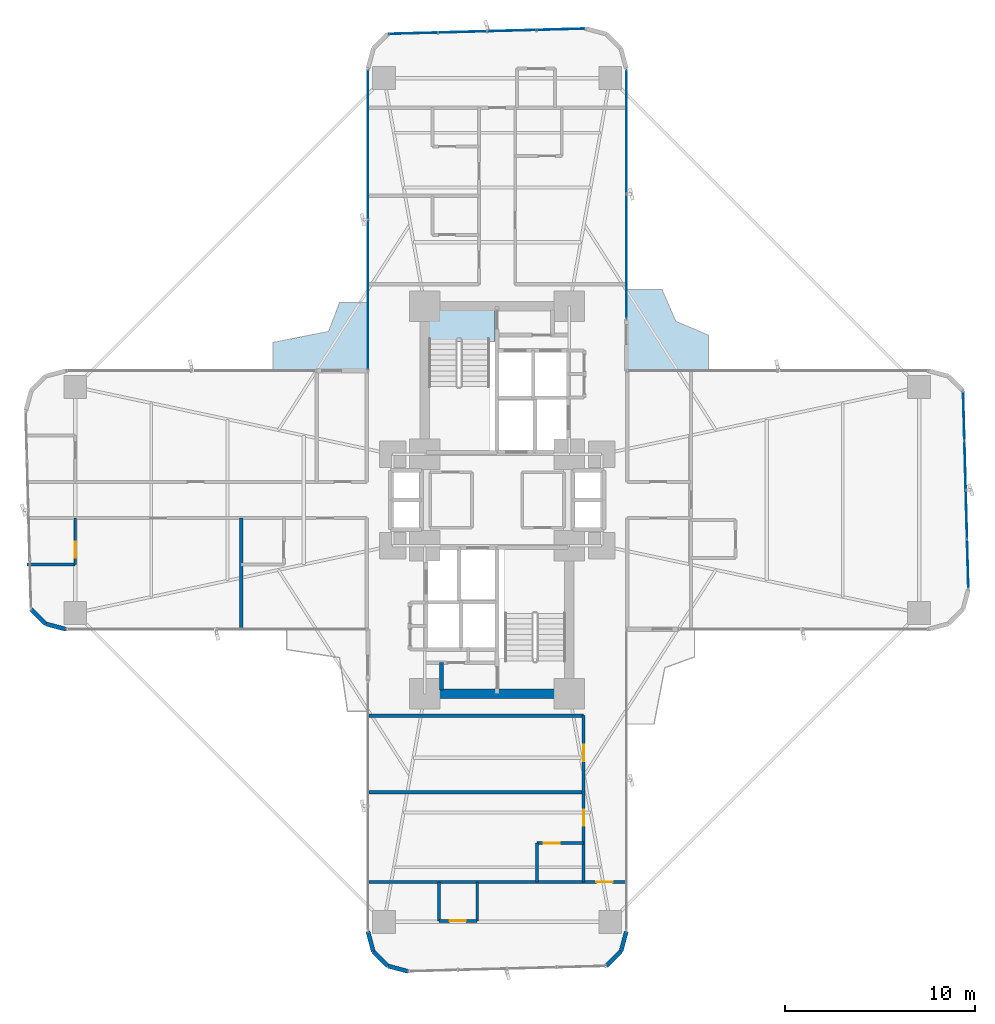
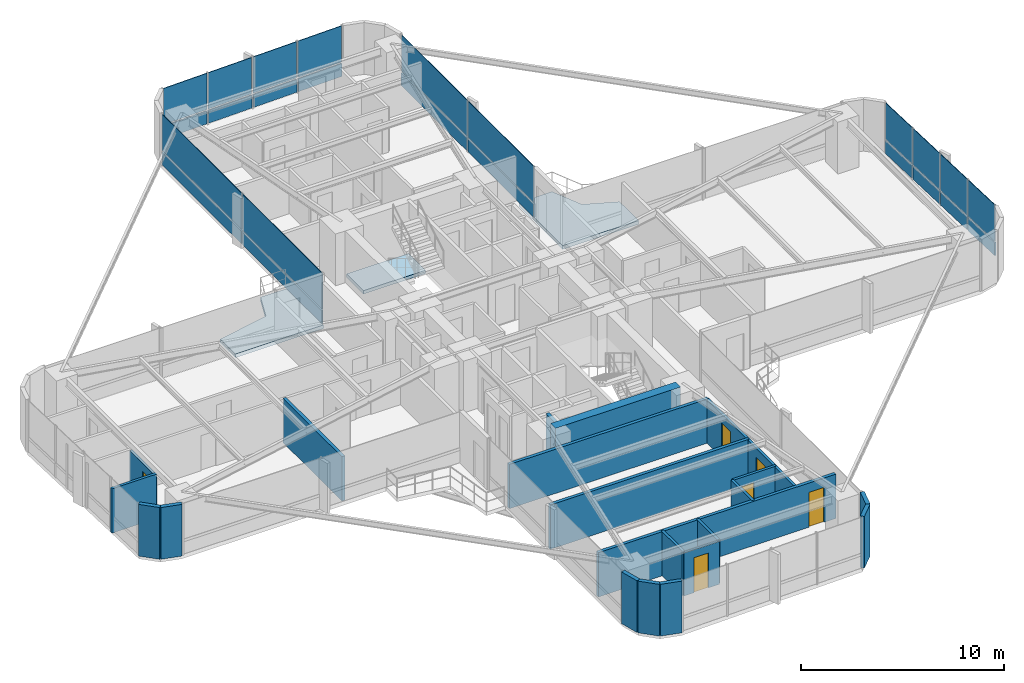
# One storey, part 21 of 26: 24 plates, 21 walls, 6 doors, 3 slabs, 6 openings, 4 elements without a shape of their own.
"""IFC4 building model written with IfcOpenShell, lengths in metres."""

from ifc_helpers import new_model, si_unit, direction, frame, frame_2d, origin, origin_2d, place, context, subcontext, project, spatial, polyline, rectangle, outline, extrude, source, transform, mapped, material, layer, layer_set, type_object, element, fill, aggregate, save


model = new_model("IFC4")

# Units and contexts
model_context = context("Model", 3, precision=1e-05, world=origin(), true_north=direction((0.0, 1.0)))
body_context = subcontext(model_context, "Body", "Model", "MODEL_VIEW")
ifc_project = project(units=[si_unit("LENGTHUNIT", "METRE"), si_unit("AREAUNIT", "SQUARE_METRE"), si_unit("VOLUMEUNIT", "CUBIC_METRE"), si_unit("PLANEANGLEUNIT", "RADIAN"), si_unit("MASSUNIT", "GRAM", prefix="KILO")], contexts=[model_context])

# Site, building, storey
site_placement = place(None, origin())
site = spatial("IfcSite", under=ifc_project, at=site_placement, CompositionType="ELEMENT")
building_placement = place(site_placement, origin())
building = spatial("IfcBuilding", under=site, at=building_placement, Name="Sahyath Konkavel Grand Hotel", CompositionType="ELEMENT")
storey_placement = place(building_placement, frame((0.0, 0.0, 29.800048828125)))
storey = spatial("IfcBuildingStorey", under=building, at=storey_placement, Name="L07", CompositionType="ELEMENT", Elevation=29.800048828125)

# Slabs
ifc_material_1 = material(Name="Concrete C40/50", Category="concrete")
ifc_layer_1 = layer(ifc_material_1, 0.219970703125)
ifc_layer_set_1 = layer_set([ifc_layer_1], Name="Concrete C40/50")
slab_type_1 = type_object("IfcSlabType", Name="SLB-BALCONY-220", PredefinedType="FLOOR", material=ifc_layer_set_1)
slab_1_placement = place(storey_placement, frame((0.0, 0.0, -0.219970703125)))
element("IfcSlab", 1, at=slab_1_placement, inside=storey, type_object=slab_type_1, Name="L07 Winter-Garden Balcony NE", PredefinedType="FLOOR", context=body_context, shape_type="SweptSolid", body=[
    extrude(outline(polyline([(6.800048828125, 6.800048828125), (11.1220703125, 6.800048828125), (11.1220703125, 8.672119140625), (9.39990234375, 9.39990234375), (8.672119140625, 11.077880859375), (6.800048828125, 11.077880859375), (6.800048828125, 6.800048828125)])), origin(), (0.0, 0.0, 1.0), 0.219970703125),
])
slab_2_placement = place(storey_placement, frame((0.0, 0.0, -0.219970703125)))
element("IfcSlab", 2, at=slab_2_placement, inside=storey, type_object=slab_type_1, Name="L07 Winter-Garden Balcony NW", PredefinedType="FLOOR", context=body_context, shape_type="SweptSolid", body=[
    extrude(outline(polyline([(-6.800048828125, 6.800048828125), (-6.800048828125, 10.39990234375), (-8.2880859375, 10.39990234375), (-8.866943359375, 8.866943359375), (-11.800048828125, 8.2880859375), (-11.800048828125, 6.800048828125), (-6.800048828125, 6.800048828125)])), origin(), (0.0, 0.0, 1.0), 0.219970703125),
])
ifc_layer_2 = layer(ifc_material_1, 0.199951171875)
ifc_layer_set_2 = layer_set([ifc_layer_2], Name="Concrete C40/50")
slab_type_2 = type_object("IfcSlabType", Name="SLB-STAIR-LND", PredefinedType="LANDING", material=ifc_layer_set_2)
slab_3_placement = place(storey_placement, frame((0.0, 0.0, -0.199951171875)))
element("IfcSlab", 3, at=slab_3_placement, inside=storey, type_object=slab_type_2, Name="L07 Stair ST-1 Floor Landing Slab", PredefinedType="LANDING", context=body_context, shape_type="SweptSolid", body=[
    extrude(outline(polyline([(-3.6201171875, 8.35009765625), (-0.10009765625, 8.35009765625), (-0.10009765625, 10.02001953125), (-3.6201171875, 10.02001953125), (-3.6201171875, 8.35009765625)])), origin(), (0.0, 0.0, 1.0), 0.199951171875),
])

# Curtain wall, plates
ifc_material_2 = material(Name="Anodised Bronze Aluminium & Low-E Glazing", Category="aluminium")
curtain_wall_type = type_object("IfcCurtainWallType", Name="CW-ZONE1", PredefinedType="NOTDEFINED", material=ifc_material_2)
curtain_wall_1_placement = place(storey_placement, origin())
curtain_wall_1 = element("IfcCurtainWall", 4, at=curtain_wall_1_placement, inside=storey, type_object=curtain_wall_type, Name="L07 Unitised Curtain Wall F15", PredefinedType="NOTDEFINED")
ifc_material_3 = material(Name="Warm Buff Sandstone Cladding", Category="masonry")
ifc_layer_3 = layer(ifc_material_3, 0.074951171875)
ifc_layer_set_3 = layer_set([ifc_layer_3], Name="Warm Buff Sandstone Cladding")
plate_type_1 = type_object("IfcPlateType", Name="PNL-SPANDREL-STONE", PredefinedType="SHEET", material=ifc_layer_set_3)
shared_shape_1 = source(origin(), body_context, "Body", "SweptSolid", [
    extrude(rectangle(XDim=7.830078125, YDim=0.074951171875, at=origin_2d()), origin(), (0.0, 0.0, 1.0), 0.77001953125),
])
plate_1_placement = place(storey_placement, frame((-6.800048828125, 18.705078125, 0.0400390625), z_axis=(0.0, 0.0, 1.0), x_axis=(0.0, -1.0, 0.0)))
plate_1 = element("IfcPlate", 5, at=plate_1_placement, type_object=plate_type_1, Name="L07 Sandstone Relief Spandrel Panel F15-0", PredefinedType="SHEET", context=body_context, shape_type="MappedRepresentation", body=[
    mapped(shared_shape_1, transform((0.0, 0.0, 0.0), scale=1.0)),
])
plate_2_placement = place(storey_placement, frame((-6.800048828125, 10.794921875, 0.0400390625), z_axis=(0.0, 0.0, 1.0), x_axis=(0.0, -1.0, 0.0)))
plate_2 = element("IfcPlate", 6, at=plate_2_placement, type_object=plate_type_1, Name="L07 Sandstone Relief Spandrel Panel F15-1", PredefinedType="SHEET", context=body_context, shape_type="MappedRepresentation", body=[
    mapped(shared_shape_1, transform((0.0, 0.0, 0.0), scale=1.0)),
])
ifc_material_4 = material(Name="Low-E Solar Control Double Glazing", Category="glass")
ifc_layer_4 = layer(ifc_material_4, 0.035888671875)
ifc_layer_set_4 = layer_set([ifc_layer_4], Name="Low-E Solar Control Double Glazing")
plate_type_2 = type_object("IfcPlateType", Name="PNL-VISION-LOWE", PredefinedType="CURTAIN_PANEL", material=ifc_layer_set_4)
shared_shape_2 = source(origin(), body_context, "Body", "SweptSolid", [
    extrude(rectangle(XDim=7.830078125, YDim=0.035888671875, at=origin_2d()), origin(), (0.0, 0.0, 1.0), 2.179931640625),
])
plate_3_placement = place(storey_placement, frame((-6.800048828125, 18.705078125, 0.89013671875), z_axis=(0.0, 0.0, 1.0), x_axis=(0.0, -1.0, 0.0)))
plate_3 = element("IfcPlate", 7, at=plate_3_placement, type_object=plate_type_2, Name="L07 Low-E Vision Glazing Panel F15-0", PredefinedType="CURTAIN_PANEL", context=body_context, shape_type="MappedRepresentation", body=[
    mapped(shared_shape_2, transform((0.0, 0.0, 0.0), scale=1.0)),
])
plate_4_placement = place(storey_placement, frame((-6.800048828125, 10.794921875, 0.89013671875), z_axis=(0.0, 0.0, 1.0), x_axis=(0.0, -1.0, 0.0)))
plate_4 = element("IfcPlate", 8, at=plate_4_placement, type_object=plate_type_2, Name="L07 Low-E Vision Glazing Panel F15-1", PredefinedType="CURTAIN_PANEL", context=body_context, shape_type="MappedRepresentation", body=[
    mapped(shared_shape_2, transform((0.0, 0.0, 0.0), scale=1.0)),
])
aggregate(curtain_wall_1, [plate_1, plate_3, plate_2, plate_4])

curtain_wall_2_placement = place(storey_placement, origin())
curtain_wall_2 = element("IfcCurtainWall", 9, at=curtain_wall_2_placement, inside=storey, type_object=curtain_wall_type, Name="L07 Unitised Curtain Wall F4", PredefinedType="NOTDEFINED")
shared_shape_3 = source(origin(), body_context, "Body", "SweptSolid", [
    extrude(rectangle(XDim=2.513427734375, YDim=0.074951171875, at=origin_2d()), origin(), (0.0, 0.0, 1.0), 0.77001953125),
])
plate_5_placement = place(storey_placement, frame((24.763916015625, -3.36376953125, 0.0400390625), z_axis=(0.0, 0.0, 1.0), x_axis=(-0.026909728301, 0.999637867691, 0.0)))
plate_5 = element("IfcPlate", 10, at=plate_5_placement, type_object=plate_type_1, Name="L07 Sandstone Relief Spandrel Panel F4-0", PredefinedType="SHEET", context=body_context, shape_type="MappedRepresentation", body=[
    mapped(shared_shape_3, transform((0.0, 0.0, 0.0), scale=1.0)),
])
plate_6_placement = place(storey_placement, frame((24.694091796875, -0.771240234375, 0.0400390625), z_axis=(0.0, 0.0, 1.0), x_axis=(-0.026909728301, 0.999637867691, 0.0)))
plate_6 = element("IfcPlate", 11, at=plate_6_placement, type_object=plate_type_1, Name="L07 Sandstone Relief Spandrel Panel F4-1", PredefinedType="SHEET", context=body_context, shape_type="MappedRepresentation", body=[
    mapped(shared_shape_3, transform((0.0, 0.0, 0.0), scale=1.0)),
])
plate_7_placement = place(storey_placement, frame((24.62451171875, 1.8212890625, 0.0400390625), z_axis=(0.0, 0.0, 1.0), x_axis=(-0.026909728301, 0.999637867691, 0.0)))
plate_7 = element("IfcPlate", 12, at=plate_7_placement, type_object=plate_type_1, Name="L07 Sandstone Relief Spandrel Panel F4-2", PredefinedType="SHEET", context=body_context, shape_type="MappedRepresentation", body=[
    mapped(shared_shape_3, transform((0.0, 0.0, 0.0), scale=1.0)),
])
plate_8_placement = place(storey_placement, frame((24.5546875, 4.413818359375, 0.0400390625), z_axis=(0.0, 0.0, 1.0), x_axis=(-0.026909728301, 0.999637867691, 0.0)))
plate_8 = element("IfcPlate", 13, at=plate_8_placement, type_object=plate_type_1, Name="L07 Sandstone Relief Spandrel Panel F4-3", PredefinedType="SHEET", context=body_context, shape_type="MappedRepresentation", body=[
    mapped(shared_shape_3, transform((0.0, 0.0, 0.0), scale=1.0)),
])

curtain_wall_3_placement = place(storey_placement, origin())
curtain_wall_3 = element("IfcCurtainWall", 14, at=curtain_wall_3_placement, inside=storey, type_object=curtain_wall_type, Name="L07 Unitised Curtain Wall F12", PredefinedType="NOTDEFINED")
plate_9_placement = place(storey_placement, frame((3.36376953125, 24.763916015625, 0.0400390625), z_axis=(0.0, 0.0, 1.0), x_axis=(-0.999637867691, -0.026909728301, 0.0)))
plate_9 = element("IfcPlate", 15, at=plate_9_placement, type_object=plate_type_1, Name="L07 Sandstone Relief Spandrel Panel F12-0", PredefinedType="SHEET", context=body_context, shape_type="MappedRepresentation", body=[
    mapped(shared_shape_3, transform((0.0, 0.0, 0.0), scale=1.0)),
])
plate_10_placement = place(storey_placement, frame((0.771240234375, 24.694091796875, 0.0400390625), z_axis=(0.0, 0.0, 1.0), x_axis=(-0.999637867691, -0.026909728301, 0.0)))
plate_10 = element("IfcPlate", 16, at=plate_10_placement, type_object=plate_type_1, Name="L07 Sandstone Relief Spandrel Panel F12-1", PredefinedType="SHEET", context=body_context, shape_type="MappedRepresentation", body=[
    mapped(shared_shape_3, transform((0.0, 0.0, 0.0), scale=1.0)),
])
plate_11_placement = place(storey_placement, frame((-1.8212890625, 24.62451171875, 0.0400390625), z_axis=(0.0, 0.0, 1.0), x_axis=(-0.999637867691, -0.026909728301, 0.0)))
plate_11 = element("IfcPlate", 17, at=plate_11_placement, type_object=plate_type_1, Name="L07 Sandstone Relief Spandrel Panel F12-2", PredefinedType="SHEET", context=body_context, shape_type="MappedRepresentation", body=[
    mapped(shared_shape_3, transform((0.0, 0.0, 0.0), scale=1.0)),
])
plate_12_placement = place(storey_placement, frame((-4.413818359375, 24.5546875, 0.0400390625), z_axis=(0.0, 0.0, 1.0), x_axis=(-0.999637867691, -0.026909728301, 0.0)))
plate_12 = element("IfcPlate", 18, at=plate_12_placement, type_object=plate_type_1, Name="L07 Sandstone Relief Spandrel Panel F12-3", PredefinedType="SHEET", context=body_context, shape_type="MappedRepresentation", body=[
    mapped(shared_shape_3, transform((0.0, 0.0, 0.0), scale=1.0)),
])

# Plate
shared_shape_4 = source(origin(), body_context, "Body", "SweptSolid", [
    extrude(rectangle(XDim=2.513427734375, YDim=0.035888671875, at=origin_2d()), origin(), (0.0, 0.0, 1.0), 2.179931640625),
])
plate_13_placement = place(storey_placement, frame((24.763916015625, -3.36376953125, 0.89013671875), z_axis=(0.0, 0.0, 1.0), x_axis=(-0.026909728301, 0.999637867691, 0.0)))
plate_13 = element("IfcPlate", 19, at=plate_13_placement, type_object=plate_type_2, Name="L07 Low-E Vision Glazing Panel F4-0", PredefinedType="CURTAIN_PANEL", context=body_context, shape_type="MappedRepresentation", body=[
    mapped(shared_shape_4, transform((0.0, 0.0, 0.0), scale=1.0)),
])

plate_14_placement = place(storey_placement, frame((24.694091796875, -0.771240234375, 0.89013671875), z_axis=(0.0, 0.0, 1.0), x_axis=(-0.026909728301, 0.999637867691, 0.0)))
plate_14 = element("IfcPlate", 20, at=plate_14_placement, type_object=plate_type_2, Name="L07 Low-E Vision Glazing Panel F4-1", PredefinedType="CURTAIN_PANEL", context=body_context, shape_type="MappedRepresentation", body=[
    mapped(shared_shape_4, transform((0.0, 0.0, 0.0), scale=1.0)),
])

plate_15_placement = place(storey_placement, frame((24.62451171875, 1.8212890625, 0.89013671875), z_axis=(0.0, 0.0, 1.0), x_axis=(-0.026909728301, 0.999637867691, 0.0)))
plate_15 = element("IfcPlate", 21, at=plate_15_placement, type_object=plate_type_2, Name="L07 Low-E Vision Glazing Panel F4-2", PredefinedType="CURTAIN_PANEL", context=body_context, shape_type="MappedRepresentation", body=[
    mapped(shared_shape_4, transform((0.0, 0.0, 0.0), scale=1.0)),
])

plate_16_placement = place(storey_placement, frame((24.5546875, 4.413818359375, 0.89013671875), z_axis=(0.0, 0.0, 1.0), x_axis=(-0.026909728301, 0.999637867691, 0.0)))
plate_16 = element("IfcPlate", 22, at=plate_16_placement, type_object=plate_type_2, Name="L07 Low-E Vision Glazing Panel F4-3", PredefinedType="CURTAIN_PANEL", context=body_context, shape_type="MappedRepresentation", body=[
    mapped(shared_shape_4, transform((0.0, 0.0, 0.0), scale=1.0)),
])

aggregate(curtain_wall_2, [plate_5, plate_13, plate_6, plate_14, plate_7, plate_15, plate_8, plate_16])

plate_17_placement = place(storey_placement, frame((3.36376953125, 24.763916015625, 0.89013671875), z_axis=(0.0, 0.0, 1.0), x_axis=(-0.999637867691, -0.026909728301, 0.0)))
plate_17 = element("IfcPlate", 23, at=plate_17_placement, type_object=plate_type_2, Name="L07 Low-E Vision Glazing Panel F12-0", PredefinedType="CURTAIN_PANEL", context=body_context, shape_type="MappedRepresentation", body=[
    mapped(shared_shape_4, transform((0.0, 0.0, 0.0), scale=1.0)),
])

plate_18_placement = place(storey_placement, frame((0.771240234375, 24.694091796875, 0.89013671875), z_axis=(0.0, 0.0, 1.0), x_axis=(-0.999637867691, -0.026909728301, 0.0)))
plate_18 = element("IfcPlate", 24, at=plate_18_placement, type_object=plate_type_2, Name="L07 Low-E Vision Glazing Panel F12-1", PredefinedType="CURTAIN_PANEL", context=body_context, shape_type="MappedRepresentation", body=[
    mapped(shared_shape_4, transform((0.0, 0.0, 0.0), scale=1.0)),
])

plate_19_placement = place(storey_placement, frame((-1.8212890625, 24.62451171875, 0.89013671875), z_axis=(0.0, 0.0, 1.0), x_axis=(-0.999637867691, -0.026909728301, 0.0)))
plate_19 = element("IfcPlate", 25, at=plate_19_placement, type_object=plate_type_2, Name="L07 Low-E Vision Glazing Panel F12-2", PredefinedType="CURTAIN_PANEL", context=body_context, shape_type="MappedRepresentation", body=[
    mapped(shared_shape_4, transform((0.0, 0.0, 0.0), scale=1.0)),
])

plate_20_placement = place(storey_placement, frame((-4.413818359375, 24.5546875, 0.89013671875), z_axis=(0.0, 0.0, 1.0), x_axis=(-0.999637867691, -0.026909728301, 0.0)))
plate_20 = element("IfcPlate", 26, at=plate_20_placement, type_object=plate_type_2, Name="L07 Low-E Vision Glazing Panel F12-3", PredefinedType="CURTAIN_PANEL", context=body_context, shape_type="MappedRepresentation", body=[
    mapped(shared_shape_4, transform((0.0, 0.0, 0.0), scale=1.0)),
])

aggregate(curtain_wall_3, [plate_9, plate_17, plate_10, plate_18, plate_11, plate_19, plate_12, plate_20])

# Curtain wall, plates
curtain_wall_4_placement = place(storey_placement, origin())
curtain_wall_4 = element("IfcCurtainWall", 27, at=curtain_wall_4_placement, inside=storey, type_object=curtain_wall_type, Name="L07 Unitised Curtain Wall F8", PredefinedType="NOTDEFINED")
shared_shape_5 = source(origin(), body_context, "Body", "SweptSolid", [
    extrude(rectangle(XDim=6.47998046875, YDim=0.074951171875, at=origin_2d()), origin(), (0.0, 0.0, 1.0), 0.77001953125),
])
plate_21_placement = place(storey_placement, frame((6.800048828125, 12.820068359375, 0.0400390625), z_axis=(0.0, 0.0, 1.0), x_axis=(0.0, 1.0, 0.0)))
plate_21 = element("IfcPlate", 28, at=plate_21_placement, type_object=plate_type_1, Name="L07 Sandstone Relief Spandrel Panel F8-0", PredefinedType="SHEET", context=body_context, shape_type="MappedRepresentation", body=[
    mapped(shared_shape_5, transform((0.0, 0.0, 0.0), scale=1.0)),
])
plate_22_placement = place(storey_placement, frame((6.800048828125, 19.3798828125, 0.0400390625), z_axis=(0.0, 0.0, 1.0), x_axis=(0.0, 1.0, 0.0)))
plate_22 = element("IfcPlate", 29, at=plate_22_placement, type_object=plate_type_1, Name="L07 Sandstone Relief Spandrel Panel F8-1", PredefinedType="SHEET", context=body_context, shape_type="MappedRepresentation", body=[
    mapped(shared_shape_5, transform((0.0, 0.0, 0.0), scale=1.0)),
])
shared_shape_6 = source(origin(), body_context, "Body", "SweptSolid", [
    extrude(rectangle(XDim=6.47998046875, YDim=0.035888671875, at=origin_2d()), origin(), (0.0, 0.0, 1.0), 2.179931640625),
])
plate_23_placement = place(storey_placement, frame((6.800048828125, 12.820068359375, 0.89013671875), z_axis=(0.0, 0.0, 1.0), x_axis=(0.0, 1.0, 0.0)))
plate_23 = element("IfcPlate", 30, at=plate_23_placement, type_object=plate_type_2, Name="L07 Low-E Vision Glazing Panel F8-0", PredefinedType="CURTAIN_PANEL", context=body_context, shape_type="MappedRepresentation", body=[
    mapped(shared_shape_6, transform((0.0, 0.0, 0.0), scale=1.0)),
])
plate_24_placement = place(storey_placement, frame((6.800048828125, 19.3798828125, 0.89013671875), z_axis=(0.0, 0.0, 1.0), x_axis=(0.0, 1.0, 0.0)))
plate_24 = element("IfcPlate", 31, at=plate_24_placement, type_object=plate_type_2, Name="L07 Low-E Vision Glazing Panel F8-1", PredefinedType="CURTAIN_PANEL", context=body_context, shape_type="MappedRepresentation", body=[
    mapped(shared_shape_6, transform((0.0, 0.0, 0.0), scale=1.0)),
])
aggregate(curtain_wall_4, [plate_21, plate_23, plate_22, plate_24])

# Walls
ifc_material_5 = material(Name="Concrete C70/85", Category="concrete")
ifc_layer_5 = layer(ifc_material_5, 0.5)
ifc_layer_set_5 = layer_set([ifc_layer_5], Name="Concrete C70/85")
wall_type_1 = type_object("IfcWallType", Name="CWALL-500", PredefinedType="SHEAR", material=ifc_layer_set_5)
wall_1_placement = place(storey_placement, frame((-3.550048828125, -10.199951171875, 0.0), z_axis=(0.0, 0.0, 1.0), x_axis=(1.0, 0.0, 0.0)))
element("IfcWall", 32, at=wall_1_placement, inside=storey, type_object=wall_type_1, Name="L07 South Core Shear Wall S", PredefinedType="SHEAR", context=body_context, shape_type="SweptSolid", body=[
    extrude(rectangle(XDim=7.10009765625, YDim=0.5, at=frame_2d((3.550048828125, 0.0))), origin(), (0.0, 0.0, 1.0), 3.10986328125),
])
ifc_material_6 = material(Name="Warm Buff Sandstone Insulated Concrete C40/50", Category="masonry")
ifc_layer_6 = layer(ifc_material_6, 0.219970703125)
ifc_layer_set_6 = layer_set([ifc_layer_6], Name="Warm Buff Sandstone Insulated Concrete C40/50")
wall_type_2 = type_object("IfcWallType", Name="WLL-BALC-THRESH", PredefinedType="STANDARD", material=ifc_layer_set_6)
for number, where, z_axis, x_axis, name in (
    (33, (-24.518798828125, -5.75, 0.0), (0.0, 0.0, 1.0), (0.707106781187, -0.707106781187, 0.0), "L07 Rounded Corner Sandstone Pier 21"),
    (34, (-23.75, -6.518798828125, 0.0), (0.0, 0.0, 1.0), (0.965951058412, -0.25872485917, 0.0), "L07 Rounded Corner Sandstone Pier 22"),
    (35, (-6.800048828125, -22.699951171875, 0.0), (0.0, 0.0, 1.0), (0.25872485917, -0.965951058412, 0.0), "L07 Rounded Corner Sandstone Pier 25"),
    (36, (-6.518798828125, -23.75, 0.0), (0.0, 0.0, 1.0), (0.707106781187, -0.707106781187, 0.0), "L07 Rounded Corner Sandstone Pier 26"),
    (37, (-5.75, -24.518798828125, 0.0), (0.0, 0.0, 1.0), (0.965951058412, -0.25872485917, 0.0), "L07 Rounded Corner Sandstone Pier 27"),
    (38, (5.75, -24.518798828125, 0.0), (0.0, 0.0, 1.0), (0.707106781187, 0.707106781187, 0.0), "L07 Rounded Corner Sandstone Pier 29"),
    (39, (6.518798828125, -23.75, 0.0), (0.0, 0.0, 1.0), (0.25872485917, 0.965951058412, 0.0), "L07 Rounded Corner Sandstone Pier 30"),
):
    element("IfcWall", number, at=place(storey_placement, frame(where, z_axis=z_axis, x_axis=x_axis)), inside=storey, type_object=wall_type_2, Name=name, PredefinedType="STANDARD", context=body_context, shape_type="SweptSolid", body=[
        extrude(rectangle(XDim=1.087158203125, YDim=0.219970703125, at=frame_2d((0.54345703125, 0.0))), origin(), (0.0, 0.0, 1.0), 3.10986328125),
    ])
ifc_layer_7 = layer(ifc_material_1, 0.199951171875)
ifc_layer_set_7 = layer_set([ifc_layer_7], Name="Concrete C40/50")
wall_type_3 = type_object("IfcWallType", Name="WLL-CORE-200", PredefinedType="SOLIDWALL", material=ifc_layer_set_7)
wall_2_placement = place(storey_placement, frame((-2.919921875, -10.0, 0.0), z_axis=(0.0, 0.0, 1.0), x_axis=(0.0, 1.0, 0.0)))
element("IfcWall", 40, at=wall_2_placement, inside=storey, type_object=wall_type_3, Name="L07 Partition SFF-W2", PredefinedType="SOLIDWALL", context=body_context, shape_type="SweptSolid", body=[
    extrude(rectangle(XDim=1.43994140625, YDim=0.199951171875, at=frame_2d((0.719970703125, 0.0))), origin(), (0.0, 0.0, 1.0), 2.659912109375),
])
ifc_material_7 = material(Name="Twin-Stud Acoustic Gypsum Plasterboard Partition")
ifc_layer_8 = layer(ifc_material_7, 0.179931640625)
ifc_layer_set_8 = layer_set([ifc_layer_8], Name="Twin-Stud Acoustic Gypsum Plasterboard Partition")
wall_type_4 = type_object("IfcWallType", Name="WLL-DEMISE-180", PredefinedType="PARTITIONING", material=ifc_layer_set_8)
wall_3_placement = place(storey_placement, frame((-13.472900390625, -0.949951171875, 0.0), z_axis=(0.0, 0.0, 1.0), x_axis=(0.0, -1.0, 0.0)))
element("IfcWall", 41, at=wall_3_placement, inside=storey, type_object=wall_type_4, Name="L07 Partition W-W1L-DEM", PredefinedType="PARTITIONING", context=body_context, shape_type="SweptSolid", body=[
    extrude(rectangle(XDim=5.800048828125, YDim=0.179931640625, at=frame_2d((2.89990234375, 0.0))), origin(), (0.0, 0.0, 1.0), 2.659912109375),
])
for number, where, z_axis, x_axis, name in (
    (42, (-6.75, -11.35009765625, 0.0), (0.0, 0.0, 1.0), (1.0, 0.0, 0.0), "L07 Partition S-G5I"),
    (43, (4.550048828125, -15.375, 0.0), (0.0, 0.0, 1.0), (-1.0, 0.0, 0.0), "L07 Partition S-SD1-DEM"),
):
    element("IfcWall", number, at=place(storey_placement, frame(where, z_axis=z_axis, x_axis=x_axis)), inside=storey, type_object=wall_type_4, Name=name, PredefinedType="PARTITIONING", context=body_context, shape_type="SweptSolid", body=[
        extrude(rectangle(XDim=11.300048828125, YDim=0.179931640625, at=frame_2d((5.64990234375, 0.0))), origin(), (0.0, 0.0, 1.0), 2.659912109375),
    ])

# Wall, opening, door
wall_4_placement = place(storey_placement, frame((-6.75, -20.10009765625, 0.0), z_axis=(0.0, 0.0, 1.0), x_axis=(1.0, 0.0, 0.0)))
wall_4 = element("IfcWall", 44, at=wall_4_placement, inside=storey, type_object=wall_type_4, Name="L07 Partition S-STIP-END", PredefinedType="PARTITIONING", context=body_context, shape_type="SweptSolid", body=[
    extrude(rectangle(XDim=13.5, YDim=0.179931640625, at=frame_2d((6.75, 0.0))), origin(), (0.0, 0.0, 1.0), 2.659912109375),
])
opening_1_placement = place(wall_4_placement, frame((11.97509765625, 0.0, 0.0)))
opening_1 = element("IfcOpeningElement", 45, at=opening_1_placement, cuts=wall_4, Name="Opening D-F06D", PredefinedType="OPENING", context=body_context, shape_type="SweptSolid", body=[
    extrude(rectangle(XDim=0.85009765625, YDim=2.10009765625, at=frame_2d((0.425048828125, 1.050048828125))), frame((0.0, 0.10009765625, 0.0), z_axis=(0.0, -1.0, 0.0), x_axis=(1.0, 0.0, 0.0)), (0.0, 0.0, 1.0), 0.199951171875),
])
ifc_material_8 = material(Name="Fire-Rated Shaft Access Door")
door_type_1 = type_object("IfcDoorType", Name="DR-FD60-850", OperationType="NOTDEFINED", PredefinedType="DOOR", material=ifc_material_8)
shared_shape_7 = source(origin(), body_context, "Body", "SweptSolid", [
    extrude(rectangle(XDim=0.85009765625, YDim=0.050048828125, at=origin_2d()), origin(), (0.0, 0.0, 1.0), 2.10009765625),
])
door_1_placement = place(opening_1_placement, frame((0.425048828125, 0.0, 0.0)))
door_1 = element("IfcDoor", 46, at=door_1_placement, inside=storey, type_object=door_type_1, Name="L07 Door S-STIP-ED", OperationType="SINGLE_SWING_LEFT", OverallHeight=2.10009765625, OverallWidth=0.85009765625, PredefinedType="DOOR", context=body_context, shape_type="MappedRepresentation", body=[
    mapped(shared_shape_7, transform((0.0, 0.0, 0.0), scale=1.0)),
])
fill(opening_1, door_1)

ifc_material_9 = material(Name="Fire-Rated Gypsum Plasterboard Partition")
ifc_layer_9 = layer(ifc_material_9, 0.14990234375)
ifc_layer_set_9 = layer_set([ifc_layer_9], Name="Fire-Rated Gypsum Plasterboard Partition")
wall_type_5 = type_object("IfcWallType", Name="WLL-PART-150", PredefinedType="PARTITIONING", material=ifc_layer_set_9)
wall_5_placement = place(storey_placement, frame((-22.199951171875, -0.949951171875, 0.0), z_axis=(0.0, 0.0, 1.0), x_axis=(0.0, -1.0, 0.0)))
wall_5 = element("IfcWall", 47, at=wall_5_placement, inside=storey, type_object=wall_type_5, Name="L07 Partition W-W2L-BS", PredefinedType="PARTITIONING", context=body_context, shape_type="SweptSolid", body=[
    extrude(rectangle(XDim=2.449951171875, YDim=0.14990234375, at=frame_2d((1.22509765625, 0.0))), origin(), (0.0, 0.0, 1.0), 2.579833984375),
])
opening_2_placement = place(wall_5_placement, frame((1.25, 0.0, 0.0)))
opening_2 = element("IfcOpeningElement", 48, at=opening_2_placement, cuts=wall_5, Name="Opening D-BT85", PredefinedType="OPENING", context=body_context, shape_type="SweptSolid", body=[
    extrude(rectangle(XDim=0.85009765625, YDim=2.10009765625, at=frame_2d((0.425048828125, 1.050048828125))), frame((0.0, 0.0849609375, 0.0), z_axis=(0.0, -1.0, 0.0), x_axis=(1.0, 0.0, 0.0)), (0.0, 0.0, 1.0), 0.169921875),
])
ifc_material_10 = material(Name="Moisture-Resistant Teak Bathroom Door")
door_type_2 = type_object("IfcDoorType", Name="DR-BATH-850", OperationType="NOTDEFINED", PredefinedType="DOOR", material=ifc_material_10)
door_2_placement = place(opening_2_placement, frame((0.425048828125, 0.0, 0.0)))
door_2 = element("IfcDoor", 49, at=door_2_placement, inside=storey, type_object=door_type_2, Name="L07 Door W-W2L-BD", OperationType="SINGLE_SWING_RIGHT", OverallHeight=2.10009765625, OverallWidth=0.85009765625, PredefinedType="DOOR", context=body_context, shape_type="MappedRepresentation", body=[
    mapped(shared_shape_7, transform((0.0, 0.0, 0.0), scale=1.0)),
])
fill(opening_2, door_2)

# Wall
wall_6_placement = place(storey_placement, frame((-22.199951171875, -3.39990234375, 0.0), z_axis=(0.0, 0.0, 1.0), x_axis=(-1.0, 0.0, 0.0)))
element("IfcWall", 50, at=wall_6_placement, inside=storey, type_object=wall_type_5, Name="L07 Partition W-W2L-BF", PredefinedType="PARTITIONING", context=body_context, shape_type="SweptSolid", body=[
    extrude(rectangle(XDim=2.550048828125, YDim=0.14990234375, at=frame_2d((1.27490234375, 0.0))), origin(), (0.0, 0.0, 1.0), 2.659912109375),
])

# Wall, openings, doors
wall_7_placement = place(storey_placement, frame((4.550048828125, -11.35009765625, 0.0), z_axis=(0.0, 0.0, 1.0), x_axis=(0.0, -1.0, 0.0)))
wall_7 = element("IfcWall", 51, at=wall_7_placement, inside=storey, type_object=wall_type_5, Name="L07 Partition S-G5W", PredefinedType="PARTITIONING", context=body_context, shape_type="SweptSolid", body=[
    extrude(rectangle(XDim=8.75, YDim=0.14990234375, at=frame_2d((4.375, 0.0))), origin(), (0.0, 0.0, 1.0), 2.6298828125),
])
opening_3_placement = place(wall_7_placement, frame((1.5380859375, 0.0, 0.0)))
opening_3 = element("IfcOpeningElement", 52, at=opening_3_placement, cuts=wall_7, Name="Opening D-F06D", PredefinedType="OPENING", context=body_context, shape_type="SweptSolid", body=[
    extrude(rectangle(XDim=0.85009765625, YDim=2.10009765625, at=frame_2d((0.425048828125, 1.050048828125))), frame((0.0, 0.0849609375, 0.0), z_axis=(0.0, -1.0, 0.0), x_axis=(1.0, 0.0, 0.0)), (0.0, 0.0, 1.0), 0.169921875),
])
opening_4_placement = place(wall_7_placement, frame((4.93701171875, 0.0, 0.0)))
opening_4 = element("IfcOpeningElement", 53, at=opening_4_placement, cuts=wall_7, Name="Opening D-F06D", PredefinedType="OPENING", context=body_context, shape_type="SweptSolid", body=[
    extrude(rectangle(XDim=0.85009765625, YDim=2.10009765625, at=frame_2d((0.425048828125, 1.050048828125))), frame((0.0, 0.0849609375, 0.0), z_axis=(0.0, -1.0, 0.0), x_axis=(1.0, 0.0, 0.0)), (0.0, 0.0, 1.0), 0.169921875),
])
door_3_placement = place(opening_3_placement, frame((0.425048828125, 0.0, 0.0)))
door_3 = element("IfcDoor", 54, at=door_3_placement, inside=storey, type_object=door_type_1, Name="L07 Door S-SD1-D", OperationType="SINGLE_SWING_LEFT", OverallHeight=2.10009765625, OverallWidth=0.85009765625, PredefinedType="DOOR", context=body_context, shape_type="MappedRepresentation", body=[
    mapped(shared_shape_7, transform((0.0, 0.0, 0.0), scale=1.0)),
])
fill(opening_3, door_3)
door_4_placement = place(opening_4_placement, frame((0.425048828125, 0.0, 0.0)))
door_4 = element("IfcDoor", 55, at=door_4_placement, inside=storey, type_object=door_type_1, Name="L07 Door S-SD2-ED", OperationType="SINGLE_SWING_LEFT", OverallHeight=2.10009765625, OverallWidth=0.85009765625, PredefinedType="DOOR", context=body_context, shape_type="MappedRepresentation", body=[
    mapped(shared_shape_7, transform((0.0, 0.0, 0.0), scale=1.0)),
])
fill(opening_4, door_4)

# Wall, opening, door
wall_8_placement = place(storey_placement, frame((4.550048828125, -18.050048828125, 0.0), z_axis=(0.0, 0.0, 1.0), x_axis=(-1.0, 0.0, 0.0)))
wall_8 = element("IfcWall", 56, at=wall_8_placement, inside=storey, type_object=wall_type_5, Name="L07 Partition S-SD2-BS", PredefinedType="PARTITIONING", context=body_context, shape_type="SweptSolid", body=[
    extrude(rectangle(XDim=2.449951171875, YDim=0.14990234375, at=frame_2d((1.22509765625, 0.0))), origin(), (0.0, 0.0, 1.0), 2.659912109375),
])
opening_5_placement = place(wall_8_placement, frame((1.25, 0.0, 0.0)))
opening_5 = element("IfcOpeningElement", 57, at=opening_5_placement, cuts=wall_8, Name="Opening D-BT85", PredefinedType="OPENING", context=body_context, shape_type="SweptSolid", body=[
    extrude(rectangle(XDim=0.85009765625, YDim=2.10009765625, at=frame_2d((0.425048828125, 1.050048828125))), frame((0.0, 0.0849609375, 0.0), z_axis=(0.0, -1.0, 0.0), x_axis=(1.0, 0.0, 0.0)), (0.0, 0.0, 1.0), 0.169921875),
])
door_5_placement = place(opening_5_placement, frame((0.425048828125, 0.0, 0.0)))
door_5 = element("IfcDoor", 58, at=door_5_placement, inside=storey, type_object=door_type_2, Name="L07 Door S-SD2-BD", OperationType="SINGLE_SWING_RIGHT", OverallHeight=2.10009765625, OverallWidth=0.85009765625, PredefinedType="DOOR", context=body_context, shape_type="MappedRepresentation", body=[
    mapped(shared_shape_7, transform((0.0, 0.0, 0.0), scale=1.0)),
])
fill(opening_5, door_5)

# Walls
wall_9_placement = place(storey_placement, frame((2.10009765625, -18.050048828125, 0.0), z_axis=(0.0, 0.0, 1.0), x_axis=(0.0, -1.0, 0.0)))
element("IfcWall", 59, at=wall_9_placement, inside=storey, type_object=wall_type_5, Name="L07 Partition S-SD2-BF", PredefinedType="PARTITIONING", context=body_context, shape_type="SweptSolid", body=[
    extrude(rectangle(XDim=2.050048828125, YDim=0.14990234375, at=frame_2d((1.02490234375, 0.0))), origin(), (0.0, 0.0, 1.0), 2.659912109375),
])
for number, where, z_axis, x_axis, name in (
    (60, (-1.050048828125, -20.10009765625, 0.0), (0.0, 0.0, 1.0), (0.0, -1.0, 0.0), "L07 Partition S-STIP-BN"),
    (61, (-3.050048828125, -20.10009765625, 0.0), (0.0, 0.0, 1.0), (0.0, -1.0, 0.0), "L07 Partition S-STIP-BS"),
):
    element("IfcWall", number, at=place(storey_placement, frame(where, z_axis=z_axis, x_axis=x_axis)), inside=storey, type_object=wall_type_5, Name=name, PredefinedType="PARTITIONING", context=body_context, shape_type="SweptSolid", body=[
        extrude(rectangle(XDim=2.0498046875, YDim=0.14990234375, at=frame_2d((1.02490234375, 0.0))), origin(), (0.0, 0.0, 1.0), 2.659912109375),
    ])

# Wall, opening, door
wall_10_placement = place(storey_placement, frame((-3.050048828125, -22.14990234375, 0.0), z_axis=(0.0, 0.0, 1.0), x_axis=(1.0, 0.0, 0.0)))
wall_10 = element("IfcWall", 62, at=wall_10_placement, inside=storey, type_object=wall_type_5, Name="L07 Partition S-STIP-BE", PredefinedType="PARTITIONING", context=body_context, shape_type="SweptSolid", body=[
    extrude(rectangle(XDim=2.0, YDim=0.14990234375, at=frame_2d((1.0, 0.0))), origin(), (0.0, 0.0, 1.0), 2.579833984375),
])
opening_6_placement = place(wall_10_placement, frame((0.550048828125, 0.0, 0.0)))
opening_6 = element("IfcOpeningElement", 63, at=opening_6_placement, cuts=wall_10, Name="Opening D-BT85", PredefinedType="OPENING", context=body_context, shape_type="SweptSolid", body=[
    extrude(rectangle(XDim=0.85009765625, YDim=2.10009765625, at=frame_2d((0.425048828125, 1.050048828125))), frame((0.0, 0.0849609375, 0.0), z_axis=(0.0, -1.0, 0.0), x_axis=(1.0, 0.0, 0.0)), (0.0, 0.0, 1.0), 0.169921875),
])
door_6_placement = place(opening_6_placement, frame((0.425048828125, 0.0, 0.0)))
door_6 = element("IfcDoor", 64, at=door_6_placement, inside=storey, type_object=door_type_2, Name="L07 Door S-STIP-BD", OperationType="SINGLE_SWING_RIGHT", OverallHeight=2.10009765625, OverallWidth=0.85009765625, PredefinedType="DOOR", context=body_context, shape_type="MappedRepresentation", body=[
    mapped(shared_shape_7, transform((0.0, 0.0, 0.0), scale=1.0)),
])
fill(opening_6, door_6)

save(model, "model.ifc")
